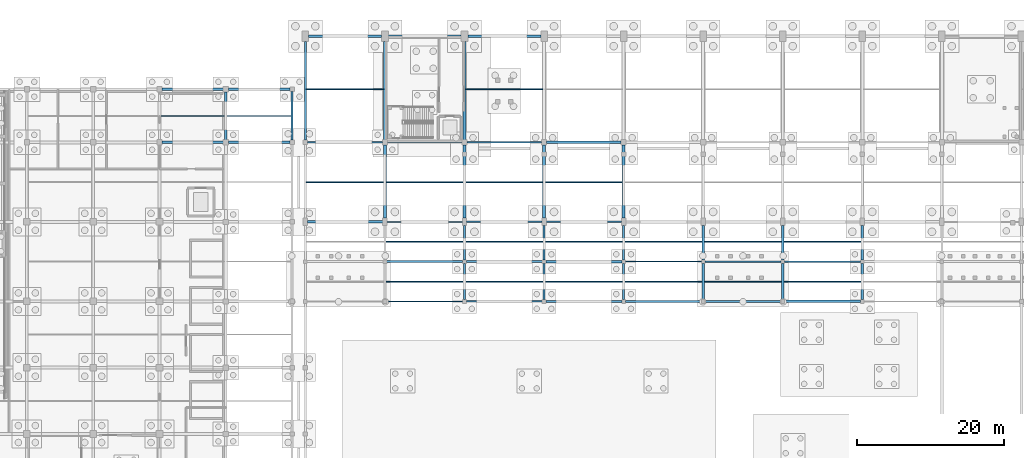
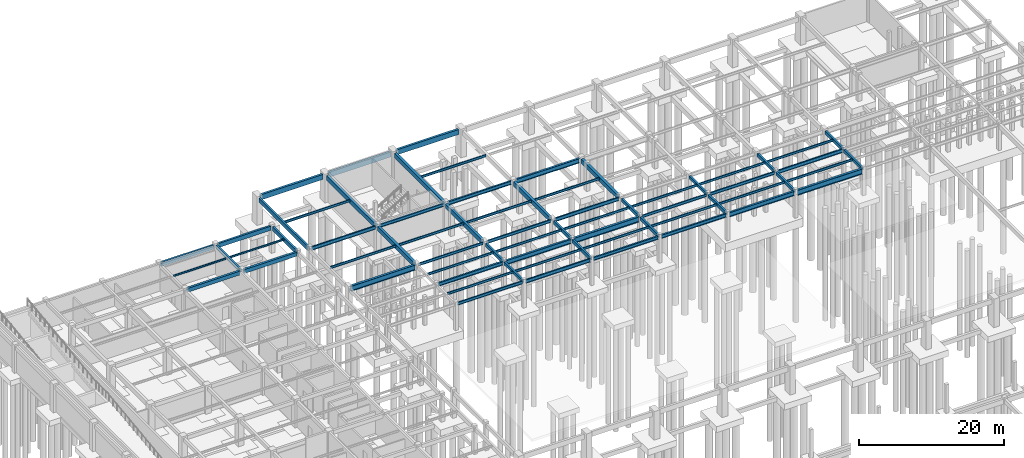
# One storey, part 17 of 33: 68 beams.
"""IFC4 building model written with IfcOpenShell, lengths in metres."""

import ifcopenshell
import ifcopenshell.guid

model = None  # the IFC model being written
_history = None  # IfcOwnerHistory: only IFC2X3 demands one
_inside = {}  # id of a spatial element -> (the spatial element, [elements in it])
_under = {}  # id of a project, library or spatial element -> (it, [spatial elements below it])
_declared = {}  # id of a project -> (the project, [libraries it declares])
_typed = {}  # id of a type object -> (the type object, [elements of that type])
_made_of = {}  # id of a material, layer set ... -> (it, [elements and type objects made of it])


def new_model(schema):
    """Start an empty IFC model of exactly this schema.

    Asked for "IFC4X3", IfcOpenShell would pick the latest addendum, in which some entities
    have other attributes; the version numbers below select the first issue.
    IFC2X3 requires an IfcOwnerHistory on every rooted entity: one is made here for all.
    """
    global model, _history
    if schema == "IFC4X3":
        model = ifcopenshell.file(schema_version=(4, 3, 0, 0))
    else:
        model = ifcopenshell.file(schema=schema)
    _inside.clear()
    _under.clear()
    _declared.clear()
    _typed.clear()
    _made_of.clear()
    _history = None
    if model.schema == "IFC2X3":
        org = make("IfcOrganization", Name="unknown")
        user = make(
            "IfcPersonAndOrganization",
            ThePerson=make("IfcPerson", FamilyName="unknown"),
            TheOrganization=org,
        )
        app = make(
            "IfcApplication",
            ApplicationDeveloper=org,
            Version="unknown",
            ApplicationFullName="unknown",
            ApplicationIdentifier="unknown",
        )
        _history = make(
            "IfcOwnerHistory",
            OwningUser=user,
            OwningApplication=app,
            ChangeAction="ADDED",
            CreationDate=0,
        )
    return model


def make(cls, **values):
    """One entity of the class cls with the attributes given. An attribute that is None is left unset."""
    return model.create_entity(
        cls, **{name: value for name, value in values.items() if value is not None}
    )


def rooted(cls, **values):
    """An entity with a GlobalId (a new one), such as an element, a storey or a relation."""
    return make(cls, GlobalId=ifcopenshell.guid.new(), OwnerHistory=_history, **values)


def si_unit(unit_type, name, prefix=None):
    """IfcSIUnit, for example si_unit("LENGTHUNIT", "METRE", prefix="MILLI")."""
    return make("IfcSIUnit", UnitType=unit_type, Prefix=prefix, Name=name)


def assignment(units):
    """IfcUnitAssignment: the units of a project."""
    return None if units is None else make("IfcUnitAssignment", Units=units)


def point(xyz):
    """IfcCartesianPoint."""
    return None if xyz is None else make("IfcCartesianPoint", Coordinates=xyz)


def direction(xyz):
    """IfcDirection."""
    return None if xyz is None else make("IfcDirection", DirectionRatios=xyz)


def frame(location, z_axis=None, x_axis=None):
    """IfcAxis2Placement3D, a coordinate frame: its origin and axes. An axis left out is left unset."""
    return make(
        "IfcAxis2Placement3D",
        Location=point(location),
        Axis=direction(z_axis),
        RefDirection=direction(x_axis),
    )


def frame_2d(location, x_axis=None):
    """IfcAxis2Placement2D, a coordinate frame in the plane: its origin and x axis."""
    return make(
        "IfcAxis2Placement2D", Location=point(location), RefDirection=direction(x_axis)
    )


def origin():
    """The frame at (0, 0, 0) with its axes left unset."""
    return frame((0.0, 0.0, 0.0))


def origin_2d():
    """The frame at (0, 0) in the plane with its x axis left unset."""
    return frame_2d((0.0, 0.0))


def place(relative_to, where):
    """IfcLocalPlacement: puts the frame where relative to a parent placement (None: the world)."""
    return make(
        "IfcLocalPlacement", PlacementRelTo=relative_to, RelativePlacement=where
    )


def context(
    kind, dimensions, precision=None, world=None, true_north=None, identifier=None
):
    """IfcGeometricRepresentationContext, for example the 3D "Model" context."""
    return make(
        "IfcGeometricRepresentationContext",
        ContextIdentifier=identifier,
        ContextType=kind,
        CoordinateSpaceDimension=dimensions,
        Precision=precision,
        WorldCoordinateSystem=world,
        TrueNorth=true_north,
    )


def subcontext(parent, identifier, kind, view, scale=None):
    """IfcGeometricRepresentationSubContext, for example "Body" below "Model"."""
    return make(
        "IfcGeometricRepresentationSubContext",
        ContextIdentifier=identifier,
        ContextType=kind,
        ParentContext=parent,
        TargetScale=scale,
        TargetView=view,
    )


def project(units=None, contexts=None):
    """IfcProject with its units and contexts."""
    return rooted(
        "IfcProject",
        Name="project",
        RepresentationContexts=contexts,
        UnitsInContext=assignment(units),
    )


def spatial(cls, under=None, at=None, **own):
    """A site, building, storey or space (cls), placed at a placement, below another one or the project."""
    s = rooted(cls, ObjectPlacement=at, **own)
    if under is not None:
        _under.setdefault(under.id(), (under, []))[1].append(s)
    return s


def profile(cls, at=None, kind="AREA", **sizes):
    """A parametric profile (cls). Its sizes go by their IFC names, for example OverallWidth=200.0."""
    return make(cls, ProfileType=kind, Position=at, **sizes)


def rectangle(**sizes):
    """IfcRectangleProfileDef."""
    return profile("IfcRectangleProfileDef", **sizes)


def i_section(**sizes):
    """IfcIShapeProfileDef."""
    return profile("IfcIShapeProfileDef", **sizes)


def extrude(swept, where, along, depth):
    """IfcExtrudedAreaSolid: the profile swept, set in the frame where, extruded along a direction by depth."""
    return make(
        "IfcExtrudedAreaSolid",
        SweptArea=swept,
        Position=where,
        ExtrudedDirection=direction(along),
        Depth=depth,
    )


def shape(context_of_items, identifier, shape_type, items):
    """IfcShapeRepresentation: the items that make up one representation, for example the "Body"."""
    return make(
        "IfcShapeRepresentation",
        ContextOfItems=context_of_items,
        RepresentationIdentifier=identifier,
        RepresentationType=shape_type,
        Items=items,
    )


def material(Name=None, Category=None):
    """IfcMaterial."""
    return make("IfcMaterial", Name=Name, Category=Category)


def material_profile(
    of_material, cross_section, Name=None, Category=None, Priority=None
):
    """IfcMaterialProfile: a cross section and its material."""
    return make(
        "IfcMaterialProfile",
        Name=Name,
        Material=of_material,
        Profile=cross_section,
        Priority=Priority,
        Category=Category,
    )


def profile_set(profiles, Name=None, composite=None):
    """IfcMaterialProfileSet."""
    return make(
        "IfcMaterialProfileSet",
        Name=Name,
        MaterialProfiles=profiles,
        CompositeProfile=composite,
    )


def made_of(thing, what):
    """Note that an element or type object is made of a material, layer set ...; save() writes the relation."""
    if what is not None:
        _made_of.setdefault(what.id(), (what, []))[1].append(thing)
    return thing


def type_object(cls, material=None, **own):
    """A type object (cls), such as IfcWallType, which elements share."""
    return made_of(rooted(cls, **own), material)


def element(
    cls,
    number,
    at=None,
    inside=None,
    cuts=None,
    type_object=None,
    material=None,
    context=None,
    identifier="Body",
    shape_type=None,
    held_by="IfcProductDefinitionShape",
    body=None,
    shapes=None,
    **own,
):
    """One element of the class cls, such as IfcWall. Its Tag is "e" and its number.

    at: its placement. inside: the storey or other place that contains it. cuts: it is an
    opening in that element (IfcRelVoidsElement). A single representation is given by context,
    identifier, shape_type and body (its items); several are given by shapes. held_by: the class
    of the entity that holds the representations. save() writes the other relations.
    """
    e = rooted(cls, Tag="e%d" % number, ObjectPlacement=at, **own)
    if body is not None:
        shapes = [shape(context, identifier, shape_type, body)]
    if shapes is not None:
        e.Representation = make(held_by, Representations=shapes)
    if inside is not None:
        _inside.setdefault(inside.id(), (inside, []))[1].append(e)
    if cuts is not None:
        rooted(
            "IfcRelVoidsElement", RelatingBuildingElement=cuts, RelatedOpeningElement=e
        )
    if type_object is not None:
        _typed.setdefault(type_object.id(), (type_object, []))[1].append(e)
    return made_of(e, material)


def aggregate(whole, parts):
    """IfcRelAggregates: a whole, such as a stair, and the parts it consists of."""
    return rooted("IfcRelAggregates", RelatingObject=whole, RelatedObjects=parts)


def save(model, path):
    """Write the relations noted so far, then the file.

    IfcRelAggregates (storeys below a building ...), IfcRelContainedInSpatialStructure (elements
    in a storey), IfcRelDefinesByType, IfcRelAssociatesMaterial and IfcRelDeclares: one each for
    every whole, place, type object, material and project.
    """
    for whole, parts in _under.values():
        aggregate(whole, parts)
    for where, things in _inside.values():
        rooted(
            "IfcRelContainedInSpatialStructure",
            RelatedElements=things,
            RelatingStructure=where,
        )
    for kind, things in _typed.values():
        rooted("IfcRelDefinesByType", RelatedObjects=things, RelatingType=kind)
    for what, things in _made_of.values():
        rooted("IfcRelAssociatesMaterial", RelatedObjects=things, RelatingMaterial=what)
    for by, libraries in _declared.values():
        rooted("IfcRelDeclares", RelatingContext=by, RelatedDefinitions=libraries)
    model.write(path)


model = new_model("IFC4")

# Units and contexts
model_context = context("Model", 3, precision=1e-05, world=origin(), true_north=direction((0.0, 1.0)))
body_context = subcontext(model_context, "Body", "Model", "MODEL_VIEW")
ifc_project = project(units=[si_unit("LENGTHUNIT", "METRE"), si_unit("AREAUNIT", "SQUARE_METRE"), si_unit("VOLUMEUNIT", "CUBIC_METRE"), si_unit("PLANEANGLEUNIT", "RADIAN"), si_unit("MASSUNIT", "GRAM", prefix="KILO")], contexts=[model_context])

# Site, building, storey
site_placement = place(None, origin())
site = spatial("IfcSite", under=ifc_project, at=site_placement, CompositionType="ELEMENT")
building_placement = place(site_placement, origin())
building = spatial("IfcBuilding", under=site, at=building_placement, Name="Suirenkawa Promenade Aquatics Centre", CompositionType="ELEMENT")
storey_placement = place(building_placement, frame((0.0, 0.0, -4.800048828125)))
storey = spatial("IfcBuildingStorey", under=building, at=storey_placement, Name="B1", CompositionType="ELEMENT", Elevation=-4.800048828125)

# Beams
ifc_material_1 = material(Name="Steel IS 2062 E350 (Grade 350)", Category="steel")
ifc_material_profile_1 = material_profile(ifc_material_1, i_section(OverallWidth=0.139892578125, OverallDepth=0.300048828125, WebThickness=0.008056640625, FlangeThickness=0.012939453125, at=origin_2d()), Name="ISMB 300", Category="steel")
ifc_profile_set_1 = profile_set([ifc_material_profile_1], Name="Steel IS 2062 E350 (Grade 350)")
beam_type_1 = type_object("IfcBeamType", Name="BT-JOIST-ISMB300", PredefinedType="JOIST", material=ifc_profile_set_1)
for number, where, z_axis, x_axis, name in (
    (1, (27.14404296875, 111.60009765625, 4.34814453125), (1.0, 0.0, 0.0), (0.0, 1.0, 0.0), "Secondary floor joist JS-02 BM-0186"),
    (2, (36.14404296875, 111.60009765625, 4.34814453125), (1.0, 0.0, 0.0), (0.0, 1.0, 0.0), "Secondary floor joist JS-02 BM-0198"),
):
    element("IfcBeam", number, at=place(storey_placement, frame(where, z_axis=z_axis, x_axis=x_axis)), inside=storey, type_object=beam_type_1, Name=name, PredefinedType="JOIST", context=body_context, shape_type="SweptSolid", body=[
        extrude(i_section(OverallWidth=0.139892578125, OverallDepth=0.300048828125, WebThickness=0.008056640625, FlangeThickness=0.012939453125, at=origin_2d()), origin(), (0.0, 0.0, 1.0), 8.7119140625),
    ])
ifc_material_profile_2 = material_profile(ifc_material_1, i_section(OverallWidth=0.139892578125, OverallDepth=0.39990234375, WebThickness=0.009033203125, FlangeThickness=0.01611328125, at=origin_2d()), Name="ISMB 400", Category="steel")
ifc_profile_set_2 = profile_set([ifc_material_profile_2], Name="Steel IS 2062 E350 (Grade 350)")
beam_type_2 = type_object("IfcBeamType", Name="BT-JOIST-ISMB400", PredefinedType="JOIST", material=ifc_profile_set_2)
for number, where, z_axis, x_axis, name in (
    (3, (46.944091796875, 102.60009765625, 4.298095703125), (1.0, 0.0, 0.0), (0.0, 1.0, 0.0), "Secondary floor joist JS-04 BM-1018"),
    (4, (46.944091796875, 115.199951171875, 4.298095703125), (1.0, 0.0, 0.0), (0.0, 1.0, 0.0), "Secondary floor joist JS-04 BM-1019"),
):
    element("IfcBeam", number, at=place(storey_placement, frame(where, z_axis=z_axis, x_axis=x_axis)), inside=storey, type_object=beam_type_2, Name=name, PredefinedType="JOIST", context=body_context, shape_type="SweptSolid", body=[
        extrude(i_section(OverallWidth=0.139892578125, OverallDepth=0.39990234375, WebThickness=0.009033203125, FlangeThickness=0.01611328125, at=origin_2d()), origin(), (0.0, 0.0, 1.0), 10.4619140625),
    ])
for number, where, z_axis, x_axis, name in (
    (5, (57.743896484375, 89.10009765625, 4.298095703125), (1.0, 0.0, 0.0), (0.0, 1.0, 0.0), "Secondary floor joist JS-04 BM-1020"),
    (6, (57.743896484375, 94.5, 4.298095703125), (1.0, 0.0, 0.0), (0.0, 1.0, 0.0), "Secondary floor joist JS-04 BM-1021"),
):
    element("IfcBeam", number, at=place(storey_placement, frame(where, z_axis=z_axis, x_axis=x_axis)), inside=storey, type_object=beam_type_2, Name=name, PredefinedType="JOIST", context=body_context, shape_type="SweptSolid", body=[
        extrude(i_section(OverallWidth=0.139892578125, OverallDepth=0.39990234375, WebThickness=0.009033203125, FlangeThickness=0.01611328125, at=origin_2d()), origin(), (0.0, 0.0, 1.0), 10.51220703125),
    ])
beam_1_placement = place(storey_placement, frame((57.7939453125, 102.60009765625, 4.298095703125), z_axis=(1.0, 0.0, 0.0), x_axis=(0.0, 1.0, 0.0)))
element("IfcBeam", 7, at=beam_1_placement, inside=storey, type_object=beam_type_2, Name="Secondary floor joist JS-04 BM-1022", PredefinedType="JOIST", context=body_context, shape_type="SweptSolid", body=[
    extrude(i_section(OverallWidth=0.139892578125, OverallDepth=0.39990234375, WebThickness=0.009033203125, FlangeThickness=0.01611328125, at=origin_2d()), origin(), (0.0, 0.0, 1.0), 10.412109375),
])
for number, where, z_axis, x_axis, name in (
    (8, (68.5439453125, 89.10009765625, 4.298095703125), (1.0, 0.0, 0.0), (0.0, 1.0, 0.0), "Secondary floor joist JS-04 BM-1023"),
    (9, (68.5439453125, 94.5, 4.298095703125), (1.0, 0.0, 0.0), (0.0, 1.0, 0.0), "Secondary floor joist JS-04 BM-1024"),
):
    element("IfcBeam", number, at=place(storey_placement, frame(where, z_axis=z_axis, x_axis=x_axis)), inside=storey, type_object=beam_type_2, Name=name, PredefinedType="JOIST", context=body_context, shape_type="SweptSolid", body=[
        extrude(i_section(OverallWidth=0.139892578125, OverallDepth=0.39990234375, WebThickness=0.009033203125, FlangeThickness=0.01611328125, at=origin_2d()), origin(), (0.0, 0.0, 1.0), 10.511962890625),
    ])
for number, where, z_axis, x_axis, name in (
    (10, (68.593994140625, 102.60009765625, 4.298095703125), (1.0, 0.0, 0.0), (0.0, 1.0, 0.0), "Secondary floor joist JS-04 BM-1025"),
    (11, (68.593994140625, 115.199951171875, 4.298095703125), (1.0, 0.0, 0.0), (0.0, 1.0, 0.0), "Secondary floor joist JS-04 BM-1026"),
):
    element("IfcBeam", number, at=place(storey_placement, frame(where, z_axis=z_axis, x_axis=x_axis)), inside=storey, type_object=beam_type_2, Name=name, PredefinedType="JOIST", context=body_context, shape_type="SweptSolid", body=[
        extrude(i_section(OverallWidth=0.139892578125, OverallDepth=0.39990234375, WebThickness=0.009033203125, FlangeThickness=0.01611328125, at=origin_2d()), origin(), (0.0, 0.0, 1.0), 10.412109375),
    ])
for number, where, z_axis, x_axis, name in (
    (12, (79.343994140625, 89.10009765625, 4.298095703125), (1.0, 0.0, 0.0), (0.0, 1.0, 0.0), "Secondary floor joist JS-04 BM-1027"),
    (13, (79.343994140625, 94.5, 4.298095703125), (1.0, 0.0, 0.0), (0.0, 1.0, 0.0), "Secondary floor joist JS-04 BM-1028"),
):
    element("IfcBeam", number, at=place(storey_placement, frame(where, z_axis=z_axis, x_axis=x_axis)), inside=storey, type_object=beam_type_2, Name=name, PredefinedType="JOIST", context=body_context, shape_type="SweptSolid", body=[
        extrude(i_section(OverallWidth=0.139892578125, OverallDepth=0.39990234375, WebThickness=0.009033203125, FlangeThickness=0.01611328125, at=origin_2d()), origin(), (0.0, 0.0, 1.0), 10.511962890625),
    ])
beam_2_placement = place(storey_placement, frame((79.39404296875, 102.60009765625, 4.298095703125), z_axis=(1.0, 0.0, 0.0), x_axis=(0.0, 1.0, 0.0)))
element("IfcBeam", 14, at=beam_2_placement, inside=storey, type_object=beam_type_2, Name="Secondary floor joist JS-04 BM-1029", PredefinedType="JOIST", context=body_context, shape_type="SweptSolid", body=[
    extrude(i_section(OverallWidth=0.139892578125, OverallDepth=0.39990234375, WebThickness=0.009033203125, FlangeThickness=0.01611328125, at=origin_2d()), origin(), (0.0, 0.0, 1.0), 10.411865234375),
])
for number, where, z_axis, x_axis, name in (
    (15, (90.14404296875, 89.10009765625, 4.298095703125), (1.0, 0.0, 0.0), (0.0, 1.0, 0.0), "Secondary floor joist JS-04 BM-1031"),
    (16, (90.14404296875, 94.5, 4.298095703125), (1.0, 0.0, 0.0), (0.0, 1.0, 0.0), "Secondary floor joist JS-04 BM-1032"),
    (17, (100.944091796875, 89.10009765625, 4.298095703125), (1.0, 0.0, 0.0), (0.0, 1.0, 0.0), "Secondary floor joist JS-04 BM-1035"),
    (18, (100.944091796875, 94.5, 4.298095703125), (1.0, 0.0, 0.0), (0.0, 1.0, 0.0), "Secondary floor joist JS-04 BM-1036"),
):
    element("IfcBeam", number, at=place(storey_placement, frame(where, z_axis=z_axis, x_axis=x_axis)), inside=storey, type_object=beam_type_2, Name=name, PredefinedType="JOIST", context=body_context, shape_type="SweptSolid", body=[
        extrude(i_section(OverallWidth=0.139892578125, OverallDepth=0.39990234375, WebThickness=0.009033203125, FlangeThickness=0.01611328125, at=origin_2d()), origin(), (0.0, 0.0, 1.0), 10.511962890625),
    ])
for number, where, z_axis, x_axis, name in (
    (19, (111.743896484375, 89.10009765625, 4.298095703125), (1.0, 0.0, 0.0), (0.0, 1.0, 0.0), "Secondary floor joist JS-04 BM-1039"),
    (20, (111.743896484375, 94.5, 4.298095703125), (1.0, 0.0, 0.0), (0.0, 1.0, 0.0), "Secondary floor joist JS-04 BM-1040"),
):
    element("IfcBeam", number, at=place(storey_placement, frame(where, z_axis=z_axis, x_axis=x_axis)), inside=storey, type_object=beam_type_2, Name=name, PredefinedType="JOIST", context=body_context, shape_type="SweptSolid", body=[
        extrude(i_section(OverallWidth=0.139892578125, OverallDepth=0.39990234375, WebThickness=0.009033203125, FlangeThickness=0.01611328125, at=origin_2d()), origin(), (0.0, 0.0, 1.0), 10.51220703125),
    ])
ifc_material_2 = material(Name="Concrete M35", Category="concrete")
ifc_material_profile_3 = material_profile(ifc_material_2, rectangle(XDim=0.300048828125, YDim=0.550048828125, at=origin_2d()), Name="RC BM 300x550", Category="concrete")
ifc_profile_set_3 = profile_set([ifc_material_profile_3], Name="Concrete M35")
beam_type_3 = type_object("IfcBeamType", Name="BT-RC-300x550", PredefinedType="BEAM", material=ifc_profile_set_3)
beam_3_placement = place(storey_placement, frame((36.0, 108.343994140625, 4.22509765625), z_axis=(0.0, 1.0, 0.0), x_axis=(-1.0, 0.0, 0.0)))
element("IfcBeam", 21, at=beam_3_placement, inside=storey, type_object=beam_type_3, Name="Floor beam BM-01 BM-0131", PredefinedType="BEAM", context=body_context, shape_type="SweptSolid", body=[
    extrude(rectangle(XDim=0.300048828125, YDim=0.550048828125, at=origin_2d()), origin(), (0.0, 0.0, 1.0), 6.511962890625),
])
beam_4_placement = place(storey_placement, frame((68.39990234375, 86.64404296875, 4.22509765625), z_axis=(0.0, 1.0, 0.0), x_axis=(-1.0, 0.0, 0.0)))
element("IfcBeam", 22, at=beam_4_placement, inside=storey, type_object=beam_type_3, Name="Floor beam BM-01 BM-0977", PredefinedType="BEAM", context=body_context, shape_type="SweptSolid", body=[
    extrude(rectangle(XDim=0.300048828125, YDim=0.550048828125, at=origin_2d()), origin(), (0.0, 0.0, 1.0), 4.911865234375),
])
beam_5_placement = place(storey_placement, frame((68.39990234375, 92.0439453125, 4.22509765625), z_axis=(0.0, 1.0, 0.0), x_axis=(-1.0, 0.0, 0.0)))
element("IfcBeam", 23, at=beam_5_placement, inside=storey, type_object=beam_type_3, Name="Floor beam BM-01 BM-0978", PredefinedType="BEAM", context=body_context, shape_type="SweptSolid", body=[
    extrude(rectangle(XDim=0.300048828125, YDim=0.550048828125, at=origin_2d()), origin(), (0.0, 0.0, 1.0), 4.662109375),
])
beam_6_placement = place(storey_placement, frame((79.199951171875, 86.64404296875, 4.22509765625), z_axis=(0.0, 1.0, 0.0), x_axis=(-1.0, 0.0, 0.0)))
element("IfcBeam", 24, at=beam_6_placement, inside=storey, type_object=beam_type_3, Name="Floor beam BM-01 BM-0981", PredefinedType="BEAM", context=body_context, shape_type="SweptSolid", body=[
    extrude(rectangle(XDim=0.300048828125, YDim=0.550048828125, at=origin_2d()), origin(), (0.0, 0.0, 1.0), 4.911865234375),
])
beam_7_placement = place(storey_placement, frame((79.199951171875, 92.0439453125, 4.22509765625), z_axis=(0.0, 1.0, 0.0), x_axis=(-1.0, 0.0, 0.0)))
element("IfcBeam", 25, at=beam_7_placement, inside=storey, type_object=beam_type_3, Name="Floor beam BM-01 BM-0982", PredefinedType="BEAM", context=body_context, shape_type="SweptSolid", body=[
    extrude(rectangle(XDim=0.300048828125, YDim=0.550048828125, at=origin_2d()), origin(), (0.0, 0.0, 1.0), 4.662109375),
])
beam_8_placement = place(storey_placement, frame((90.0, 86.64404296875, 4.22509765625), z_axis=(0.0, 1.0, 0.0), x_axis=(-1.0, 0.0, 0.0)))
element("IfcBeam", 26, at=beam_8_placement, inside=storey, type_object=beam_type_3, Name="Floor beam BM-01 BM-0985", PredefinedType="BEAM", context=body_context, shape_type="SweptSolid", body=[
    extrude(rectangle(XDim=0.300048828125, YDim=0.550048828125, at=origin_2d()), origin(), (0.0, 0.0, 1.0), 4.911865234375),
])
beam_9_placement = place(storey_placement, frame((90.0, 92.0439453125, 4.22509765625), z_axis=(0.0, 1.0, 0.0), x_axis=(-1.0, 0.0, 0.0)))
element("IfcBeam", 27, at=beam_9_placement, inside=storey, type_object=beam_type_3, Name="Floor beam BM-01 BM-0986", PredefinedType="BEAM", context=body_context, shape_type="SweptSolid", body=[
    extrude(rectangle(XDim=0.300048828125, YDim=0.550048828125, at=origin_2d()), origin(), (0.0, 0.0, 1.0), 4.662109375),
])
beam_10_placement = place(storey_placement, frame((100.800048828125, 86.64404296875, 4.22509765625), z_axis=(0.0, 1.0, 0.0), x_axis=(-1.0, 0.0, 0.0)))
element("IfcBeam", 28, at=beam_10_placement, inside=storey, type_object=beam_type_3, Name="Floor beam BM-01 BM-0989", PredefinedType="BEAM", context=body_context, shape_type="SweptSolid", body=[
    extrude(rectangle(XDim=0.300048828125, YDim=0.550048828125, at=origin_2d()), origin(), (0.0, 0.0, 1.0), 4.911865234375),
])
beam_11_placement = place(storey_placement, frame((100.800048828125, 92.0439453125, 4.22509765625), z_axis=(0.0, 1.0, 0.0), x_axis=(-1.0, 0.0, 0.0)))
element("IfcBeam", 29, at=beam_11_placement, inside=storey, type_object=beam_type_3, Name="Floor beam BM-01 BM-0990", PredefinedType="BEAM", context=body_context, shape_type="SweptSolid", body=[
    extrude(rectangle(XDim=0.300048828125, YDim=0.550048828125, at=origin_2d()), origin(), (0.0, 0.0, 1.0), 4.662109375),
])
beam_12_placement = place(storey_placement, frame((111.60009765625, 86.64404296875, 4.22509765625), z_axis=(0.0, 1.0, 0.0), x_axis=(-1.0, 0.0, 0.0)))
element("IfcBeam", 30, at=beam_12_placement, inside=storey, type_object=beam_type_3, Name="Floor beam BM-01 BM-0993", PredefinedType="BEAM", context=body_context, shape_type="SweptSolid", body=[
    extrude(rectangle(XDim=0.300048828125, YDim=0.550048828125, at=origin_2d()), origin(), (0.0, 0.0, 1.0), 4.911865234375),
])
beam_13_placement = place(storey_placement, frame((111.60009765625, 92.0439453125, 4.22509765625), z_axis=(0.0, 1.0, 0.0), x_axis=(-1.0, 0.0, 0.0)))
element("IfcBeam", 31, at=beam_13_placement, inside=storey, type_object=beam_type_3, Name="Floor beam BM-01 BM-0994", PredefinedType="BEAM", context=body_context, shape_type="SweptSolid", body=[
    extrude(rectangle(XDim=0.300048828125, YDim=0.550048828125, at=origin_2d()), origin(), (0.0, 0.0, 1.0), 4.662109375),
])
beam_14_placement = place(storey_placement, frame((122.39990234375, 86.64404296875, 4.22509765625), z_axis=(0.0, 1.0, 0.0), x_axis=(-1.0, 0.0, 0.0)))
element("IfcBeam", 32, at=beam_14_placement, inside=storey, type_object=beam_type_3, Name="Floor beam BM-01 BM-0997", PredefinedType="BEAM", context=body_context, shape_type="SweptSolid", body=[
    extrude(rectangle(XDim=0.300048828125, YDim=0.550048828125, at=origin_2d()), origin(), (0.0, 0.0, 1.0), 4.911865234375),
])
beam_15_placement = place(storey_placement, frame((122.39990234375, 92.0439453125, 4.22509765625), z_axis=(0.0, 1.0, 0.0), x_axis=(-1.0, 0.0, 0.0)))
element("IfcBeam", 33, at=beam_15_placement, inside=storey, type_object=beam_type_3, Name="Floor beam BM-01 BM-0998", PredefinedType="BEAM", context=body_context, shape_type="SweptSolid", body=[
    extrude(rectangle(XDim=0.300048828125, YDim=0.550048828125, at=origin_2d()), origin(), (0.0, 0.0, 1.0), 4.662109375),
])
ifc_material_profile_4 = material_profile(ifc_material_2, rectangle(XDim=0.35009765625, YDim=0.64990234375, at=origin_2d()), Name="RC BM 350x650", Category="concrete")
ifc_profile_set_4 = profile_set([ifc_material_profile_4], Name="Concrete M35")
beam_type_4 = type_object("IfcBeamType", Name="BT-RC-350x650", PredefinedType="BEAM", material=ifc_profile_set_4)
beam_16_placement = place(storey_placement, frame((27.343994140625, 108.0, 4.175048828125), z_axis=(1.0, 0.0, 0.0), x_axis=(0.0, 1.0, 0.0)))
element("IfcBeam", 34, at=beam_16_placement, inside=storey, type_object=beam_type_4, Name="Floor beam BM-03 BM-0060", PredefinedType="BEAM", context=body_context, shape_type="SweptSolid", body=[
    extrude(rectangle(XDim=0.35009765625, YDim=0.64990234375, at=origin_2d()), origin(), (0.0, 0.0, 1.0), 8.31201171875),
])
beam_17_placement = place(storey_placement, frame((36.343994140625, 108.0, 4.175048828125), z_axis=(1.0, 0.0, 0.0), x_axis=(0.0, 1.0, 0.0)))
element("IfcBeam", 35, at=beam_17_placement, inside=storey, type_object=beam_type_4, Name="Floor beam BM-03 BM-0061", PredefinedType="BEAM", context=body_context, shape_type="SweptSolid", body=[
    extrude(rectangle(XDim=0.35009765625, YDim=0.64990234375, at=origin_2d()), origin(), (0.0, 0.0, 1.0), 8.362060546875),
])
ifc_material_3 = material(Name="Concrete M40", Category="concrete")
ifc_material_profile_5 = material_profile(ifc_material_3, rectangle(XDim=0.39990234375, YDim=0.75, at=origin_2d()), Name="RC BM 400x750", Category="concrete")
ifc_profile_set_5 = profile_set([ifc_material_profile_5], Name="Concrete M40")
beam_type_5 = type_object("IfcBeamType", Name="BT-RC-400x750", PredefinedType="BEAM", material=ifc_profile_set_5)
beam_18_placement = place(storey_placement, frame((57.60009765625, 97.694091796875, 4.125), z_axis=(0.0, 1.0, 0.0), x_axis=(-1.0, 0.0, 0.0)))
element("IfcBeam", 36, at=beam_18_placement, inside=storey, type_object=beam_type_5, Name="Floor beam BM-05 BM-0975", PredefinedType="BEAM", context=body_context, shape_type="SweptSolid", body=[
    extrude(rectangle(XDim=0.39990234375, YDim=0.75, at=origin_2d()), origin(), (0.0, 0.0, 1.0), 9.9619140625),
])
beam_19_placement = place(storey_placement, frame((57.60009765625, 108.343994140625, 4.125), z_axis=(0.0, 1.0, 0.0), x_axis=(-1.0, 0.0, 0.0)))
element("IfcBeam", 37, at=beam_19_placement, inside=storey, type_object=beam_type_5, Name="Floor beam BM-05 BM-0976", PredefinedType="BEAM", context=body_context, shape_type="SweptSolid", body=[
    extrude(rectangle(XDim=0.39990234375, YDim=0.75, at=origin_2d()), origin(), (0.0, 0.0, 1.0), 13.362060546875),
])
beam_20_placement = place(storey_placement, frame((68.39990234375, 97.694091796875, 4.125), z_axis=(0.0, 1.0, 0.0), x_axis=(-1.0, 0.0, 0.0)))
element("IfcBeam", 38, at=beam_20_placement, inside=storey, type_object=beam_type_5, Name="Floor beam BM-05 BM-0979", PredefinedType="BEAM", context=body_context, shape_type="SweptSolid", body=[
    extrude(rectangle(XDim=0.39990234375, YDim=0.75, at=origin_2d()), origin(), (0.0, 0.0, 1.0), 9.9619140625),
])
beam_21_placement = place(storey_placement, frame((68.39990234375, 108.343994140625, 4.125), z_axis=(0.0, 1.0, 0.0), x_axis=(-1.0, 0.0, 0.0)))
element("IfcBeam", 39, at=beam_21_placement, inside=storey, type_object=beam_type_5, Name="Floor beam BM-05 BM-0980", PredefinedType="BEAM", context=body_context, shape_type="SweptSolid", body=[
    extrude(rectangle(XDim=0.39990234375, YDim=0.75, at=origin_2d()), origin(), (0.0, 0.0, 1.0), 13.362060546875),
])
for number, where, z_axis, x_axis, name in (
    (40, (79.199951171875, 97.694091796875, 4.125), (0.0, 1.0, 0.0), (-1.0, 0.0, 0.0), "Floor beam BM-05 BM-0983"),
    (41, (90.0, 97.694091796875, 4.125), (0.0, 1.0, 0.0), (-1.0, 0.0, 0.0), "Floor beam BM-05 BM-0987"),
):
    element("IfcBeam", number, at=place(storey_placement, frame(where, z_axis=z_axis, x_axis=x_axis)), inside=storey, type_object=beam_type_5, Name=name, PredefinedType="BEAM", context=body_context, shape_type="SweptSolid", body=[
        extrude(rectangle(XDim=0.39990234375, YDim=0.75, at=origin_2d()), origin(), (0.0, 0.0, 1.0), 9.9619140625),
    ])
ifc_material_profile_6 = material_profile(ifc_material_3, rectangle(XDim=0.300048828125, YDim=0.699951171875, at=origin_2d()), Name="RC SPANDREL 300x700", Category="concrete")
ifc_profile_set_6 = profile_set([ifc_material_profile_6], Name="Concrete M40")
beam_type_6 = type_object("IfcBeamType", Name="BT-SPANDREL-300x700", PredefinedType="SPANDREL", material=ifc_profile_set_6)
beam_22_placement = place(storey_placement, frame((27.343994140625, 115.199951171875, 4.150146484375), z_axis=(1.0, 0.0, 0.0), x_axis=(0.0, 1.0, 0.0)))
element("IfcBeam", 42, at=beam_22_placement, inside=storey, type_object=beam_type_6, Name="Floor beam SP-01 BM-0065", PredefinedType="SPANDREL", context=body_context, shape_type="SweptSolid", body=[
    extrude(rectangle(XDim=0.300048828125, YDim=0.699951171875, at=origin_2d()), origin(), (0.0, 0.0, 1.0), 8.31201171875),
])
beam_23_placement = place(storey_placement, frame((36.343994140625, 115.199951171875, 4.150146484375), z_axis=(1.0, 0.0, 0.0), x_axis=(0.0, 1.0, 0.0)))
element("IfcBeam", 43, at=beam_23_placement, inside=storey, type_object=beam_type_6, Name="Floor beam SP-01 BM-0066", PredefinedType="SPANDREL", context=body_context, shape_type="SweptSolid", body=[
    extrude(rectangle(XDim=0.300048828125, YDim=0.699951171875, at=origin_2d()), origin(), (0.0, 0.0, 1.0), 8.362060546875),
])
beam_24_placement = place(storey_placement, frame((45.0, 108.2939453125, 4.150146484375), z_axis=(0.0, 1.0, 0.0), x_axis=(-1.0, 0.0, 0.0)))
element("IfcBeam", 44, at=beam_24_placement, inside=storey, type_object=beam_type_6, Name="Floor beam SP-01 BM-0144", PredefinedType="SPANDREL", context=body_context, shape_type="SweptSolid", body=[
    extrude(rectangle(XDim=0.300048828125, YDim=0.699951171875, at=origin_2d()), origin(), (0.0, 0.0, 1.0), 6.612060546875),
])
beam_25_placement = place(storey_placement, frame((46.800048828125, 108.2939453125, 4.150146484375), z_axis=(0.0, 1.0, 0.0), x_axis=(-1.0, 0.0, 0.0)))
element("IfcBeam", 45, at=beam_25_placement, inside=storey, type_object=beam_type_6, Name="Floor beam SP-01 BM-0972", PredefinedType="SPANDREL", context=body_context, shape_type="SweptSolid", body=[
    extrude(rectangle(XDim=0.300048828125, YDim=0.699951171875, at=origin_2d()), origin(), (0.0, 0.0, 1.0), 13.412109375),
])
ifc_material_profile_7 = material_profile(ifc_material_3, rectangle(XDim=0.35009765625, YDim=0.85009765625, at=origin_2d()), Name="RC SPANDREL 350x850", Category="concrete")
ifc_profile_set_7 = profile_set([ifc_material_profile_7], Name="Concrete M40")
beam_type_7 = type_object("IfcBeamType", Name="BT-SPANDREL-350x850", PredefinedType="SPANDREL", material=ifc_profile_set_7)
for number, where, z_axis, x_axis, name in (
    (46, (47.243896484375, 122.39990234375, 4.074951171875), (1.0, 0.0, 0.0), (0.0, 1.0, 0.0), "Floor beam SP-02 BM-0958"),
    (47, (58.0439453125, 122.39990234375, 4.074951171875), (1.0, 0.0, 0.0), (0.0, 1.0, 0.0), "Floor beam SP-02 BM-0959"),
    (48, (68.843994140625, 122.39990234375, 4.074951171875), (1.0, 0.0, 0.0), (0.0, 1.0, 0.0), "Floor beam SP-02 BM-0960"),
):
    element("IfcBeam", number, at=place(storey_placement, frame(where, z_axis=z_axis, x_axis=x_axis)), inside=storey, type_object=beam_type_7, Name=name, PredefinedType="SPANDREL", context=body_context, shape_type="SweptSolid", body=[
        extrude(rectangle(XDim=0.35009765625, YDim=0.85009765625, at=origin_2d()), origin(), (0.0, 0.0, 1.0), 9.912109375),
    ])
ifc_material_profile_8 = material_profile(ifc_material_1, i_section(OverallWidth=0.14990234375, OverallDepth=0.449951171875, WebThickness=0.009033203125, FlangeThickness=0.01708984375, at=origin_2d()), Name="ISMB 450", Category="steel")
ifc_profile_set_8 = profile_set([ifc_material_profile_8], Name="Steel IS 2062 E350 (Grade 350)")
beam_type_8 = type_object("IfcBeamType", Name="BT-STL-ISMB450", PredefinedType="BEAM", material=ifc_profile_set_8)
beam_26_placement = place(storey_placement, frame((90.243896484375, 91.800048828125, 4.275146484375), z_axis=(1.0, 0.0, 0.0), x_axis=(0.0, 1.0, 0.0)))
element("IfcBeam", 49, at=beam_26_placement, inside=storey, type_object=beam_type_8, Name="Floor beam BM-08 BM-0932", PredefinedType="BEAM", context=body_context, shape_type="SweptSolid", body=[
    extrude(i_section(OverallWidth=0.14990234375, OverallDepth=0.449951171875, WebThickness=0.009033203125, FlangeThickness=0.01708984375, at=origin_2d()), origin(), (0.0, 0.0, 1.0), 10.31201171875),
])
beam_27_placement = place(storey_placement, frame((57.89404296875, 97.199951171875, 4.275146484375), z_axis=(1.0, 0.0, 0.0), x_axis=(0.0, 1.0, 0.0)))
element("IfcBeam", 50, at=beam_27_placement, inside=storey, type_object=beam_type_8, Name="Floor beam BM-08 BM-0939", PredefinedType="BEAM", context=body_context, shape_type="SweptSolid", body=[
    extrude(i_section(OverallWidth=0.14990234375, OverallDepth=0.449951171875, WebThickness=0.009033203125, FlangeThickness=0.01708984375, at=origin_2d()), origin(), (0.0, 0.0, 1.0), 10.2119140625),
])
ifc_material_profile_9 = material_profile(ifc_material_1, i_section(OverallWidth=0.179931640625, OverallDepth=0.5, WebThickness=0.010009765625, FlangeThickness=0.01708984375, at=origin_2d()), Name="ISMB 500", Category="steel")
ifc_profile_set_9 = profile_set([ifc_material_profile_9], Name="Steel IS 2062 E350 (Grade 350)")
beam_type_9 = type_object("IfcBeamType", Name="BT-STL-ISMB500", PredefinedType="BEAM", material=ifc_profile_set_9)
for number, where, z_axis, x_axis, name in (
    (51, (57.843994140625, 86.39990234375, 4.25), (1.0, 0.0, 0.0), (0.0, 1.0, 0.0), "Floor beam BM-09 BM-0919"),
    (52, (101.0439453125, 91.800048828125, 4.25), (1.0, 0.0, 0.0), (0.0, 1.0, 0.0), "Floor beam BM-09 BM-0933"),
):
    element("IfcBeam", number, at=place(storey_placement, frame(where, z_axis=z_axis, x_axis=x_axis)), inside=storey, type_object=beam_type_9, Name=name, PredefinedType="BEAM", context=body_context, shape_type="SweptSolid", body=[
        extrude(i_section(OverallWidth=0.179931640625, OverallDepth=0.5, WebThickness=0.010009765625, FlangeThickness=0.01708984375, at=origin_2d()), origin(), (0.0, 0.0, 1.0), 10.31201171875),
    ])
beam_28_placement = place(storey_placement, frame((68.694091796875, 97.199951171875, 4.25), z_axis=(1.0, 0.0, 0.0), x_axis=(0.0, 1.0, 0.0)))
element("IfcBeam", 53, at=beam_28_placement, inside=storey, type_object=beam_type_9, Name="Floor beam BM-09 BM-0940", PredefinedType="BEAM", context=body_context, shape_type="SweptSolid", body=[
    extrude(i_section(OverallWidth=0.179931640625, OverallDepth=0.5, WebThickness=0.010009765625, FlangeThickness=0.01708984375, at=origin_2d()), origin(), (0.0, 0.0, 1.0), 10.2119140625),
])
ifc_material_profile_10 = material_profile(ifc_material_1, i_section(OverallWidth=0.2099609375, OverallDepth=0.60009765625, WebThickness=0.011962890625, FlangeThickness=0.02099609375, at=origin_2d()), Name="ISMB 600", Category="steel")
ifc_profile_set_10 = profile_set([ifc_material_profile_10], Name="Steel IS 2062 E350 (Grade 350)")
beam_type_10 = type_object("IfcBeamType", Name="BT-STL-ISMB600", PredefinedType="BEAM", material=ifc_profile_set_10)
for number, where, z_axis, x_axis, name in (
    (54, (68.64404296875, 86.39990234375, 4.199951171875), (1.0, 0.0, 0.0), (0.0, 1.0, 0.0), "Floor beam BM-10 BM-0920"),
    (55, (111.843994140625, 91.800048828125, 4.199951171875), (1.0, 0.0, 0.0), (0.0, 1.0, 0.0), "Floor beam BM-10 BM-0934"),
):
    element("IfcBeam", number, at=place(storey_placement, frame(where, z_axis=z_axis, x_axis=x_axis)), inside=storey, type_object=beam_type_10, Name=name, PredefinedType="BEAM", context=body_context, shape_type="SweptSolid", body=[
        extrude(i_section(OverallWidth=0.2099609375, OverallDepth=0.60009765625, WebThickness=0.011962890625, FlangeThickness=0.02099609375, at=origin_2d()), origin(), (0.0, 0.0, 1.0), 10.31201171875),
    ])
beam_29_placement = place(storey_placement, frame((79.493896484375, 97.199951171875, 4.199951171875), z_axis=(1.0, 0.0, 0.0), x_axis=(0.0, 1.0, 0.0)))
element("IfcBeam", 56, at=beam_29_placement, inside=storey, type_object=beam_type_10, Name="Floor beam BM-10 BM-0941", PredefinedType="BEAM", context=body_context, shape_type="SweptSolid", body=[
    extrude(i_section(OverallWidth=0.2099609375, OverallDepth=0.60009765625, WebThickness=0.011962890625, FlangeThickness=0.02099609375, at=origin_2d()), origin(), (0.0, 0.0, 1.0), 10.212158203125),
])
beam_30_placement = place(storey_placement, frame((47.093994140625, 108.0, 4.199951171875), z_axis=(1.0, 0.0, 0.0), x_axis=(0.0, 1.0, 0.0)))
element("IfcBeam", 57, at=beam_30_placement, inside=storey, type_object=beam_type_10, Name="Floor beam BM-10 BM-0948", PredefinedType="BEAM", context=body_context, shape_type="SweptSolid", body=[
    extrude(i_section(OverallWidth=0.2099609375, OverallDepth=0.60009765625, WebThickness=0.011962890625, FlangeThickness=0.02099609375, at=origin_2d()), origin(), (0.0, 0.0, 1.0), 10.162109375),
])
ifc_material_profile_11 = material_profile(ifc_material_1, i_section(OverallWidth=0.25, OverallDepth=0.550048828125, WebThickness=0.010986328125, FlangeThickness=0.01806640625, at=origin_2d()), Name="ISWB 550", Category="steel")
ifc_profile_set_11 = profile_set([ifc_material_profile_11], Name="Steel IS 2062 E350 (Grade 350)")
beam_type_11 = type_object("IfcBeamType", Name="BT-STL-ISWB550", PredefinedType="BEAM", material=ifc_profile_set_11)
beam_31_placement = place(storey_placement, frame((79.444091796875, 86.39990234375, 4.22509765625), z_axis=(1.0, 0.0, 0.0), x_axis=(0.0, 1.0, 0.0)))
element("IfcBeam", 58, at=beam_31_placement, inside=storey, type_object=beam_type_11, Name="Floor beam BM-11 BM-0921", PredefinedType="BEAM", context=body_context, shape_type="SweptSolid", body=[
    extrude(i_section(OverallWidth=0.25, OverallDepth=0.550048828125, WebThickness=0.010986328125, FlangeThickness=0.01806640625, at=origin_2d()), origin(), (0.0, 0.0, 1.0), 10.31201171875),
])
beam_32_placement = place(storey_placement, frame((57.944091796875, 108.0, 4.22509765625), z_axis=(1.0, 0.0, 0.0), x_axis=(0.0, 1.0, 0.0)))
element("IfcBeam", 59, at=beam_32_placement, inside=storey, type_object=beam_type_11, Name="Floor beam BM-11 BM-0949", PredefinedType="BEAM", context=body_context, shape_type="SweptSolid", body=[
    extrude(i_section(OverallWidth=0.25, OverallDepth=0.550048828125, WebThickness=0.010986328125, FlangeThickness=0.01806640625, at=origin_2d()), origin(), (0.0, 0.0, 1.0), 10.11181640625),
])
ifc_material_profile_12 = material_profile(ifc_material_1, i_section(OverallWidth=0.25, OverallDepth=0.60009765625, WebThickness=0.011962890625, FlangeThickness=0.02392578125, at=origin_2d()), Name="ISWB 600", Category="steel")
ifc_profile_set_12 = profile_set([ifc_material_profile_12], Name="Steel IS 2062 E350 (Grade 350)")
beam_type_12 = type_object("IfcBeamType", Name="BT-STL-ISWB600", PredefinedType="BEAM", material=ifc_profile_set_12)
for number, where, z_axis, x_axis, name in (
    (60, (90.243896484375, 86.39990234375, 4.199951171875), (1.0, 0.0, 0.0), (0.0, 1.0, 0.0), "Floor beam BM-12 BM-0922"),
    (61, (57.843994140625, 91.800048828125, 4.199951171875), (1.0, 0.0, 0.0), (0.0, 1.0, 0.0), "Floor beam BM-12 BM-0929"),
):
    element("IfcBeam", number, at=place(storey_placement, frame(where, z_axis=z_axis, x_axis=x_axis)), inside=storey, type_object=beam_type_12, Name=name, PredefinedType="BEAM", context=body_context, shape_type="SweptSolid", body=[
        extrude(i_section(OverallWidth=0.25, OverallDepth=0.60009765625, WebThickness=0.011962890625, FlangeThickness=0.02392578125, at=origin_2d()), origin(), (0.0, 0.0, 1.0), 10.31201171875),
    ])
beam_33_placement = place(storey_placement, frame((68.743896484375, 108.0, 4.199951171875), z_axis=(1.0, 0.0, 0.0), x_axis=(0.0, 1.0, 0.0)))
element("IfcBeam", 62, at=beam_33_placement, inside=storey, type_object=beam_type_12, Name="Floor beam BM-12 BM-0950", PredefinedType="BEAM", context=body_context, shape_type="SweptSolid", body=[
    extrude(i_section(OverallWidth=0.25, OverallDepth=0.60009765625, WebThickness=0.011962890625, FlangeThickness=0.02392578125, at=origin_2d()), origin(), (0.0, 0.0, 1.0), 10.112060546875),
])
ifc_material_profile_13 = material_profile(ifc_material_1, i_section(OverallWidth=0.300048828125, OverallDepth=0.75, WebThickness=0.013916015625, FlangeThickness=0.02490234375, at=origin_2d()), Name="WPG 750x300", Category="steel")
ifc_profile_set_13 = profile_set([ifc_material_profile_13], Name="Steel IS 2062 E350 (Grade 350)")
beam_type_13 = type_object("IfcBeamType", Name="BT-STL-WPG750", PredefinedType="BEAM", material=ifc_profile_set_13)
for number, where, z_axis, x_axis, name in (
    (63, (101.0439453125, 86.39990234375, 4.125), (1.0, 0.0, 0.0), (0.0, 1.0, 0.0), "Floor beam BM-13 BM-0923"),
    (64, (68.64404296875, 91.800048828125, 4.125), (1.0, 0.0, 0.0), (0.0, 1.0, 0.0), "Floor beam BM-13 BM-0930"),
):
    element("IfcBeam", number, at=place(storey_placement, frame(where, z_axis=z_axis, x_axis=x_axis)), inside=storey, type_object=beam_type_13, Name=name, PredefinedType="BEAM", context=body_context, shape_type="SweptSolid", body=[
        extrude(i_section(OverallWidth=0.300048828125, OverallDepth=0.75, WebThickness=0.013916015625, FlangeThickness=0.02490234375, at=origin_2d()), origin(), (0.0, 0.0, 1.0), 10.31201171875),
    ])
beam_34_placement = place(storey_placement, frame((79.5439453125, 108.0, 4.125), z_axis=(1.0, 0.0, 0.0), x_axis=(0.0, 1.0, 0.0)))
element("IfcBeam", 65, at=beam_34_placement, inside=storey, type_object=beam_type_13, Name="Floor beam BM-13 BM-0951", PredefinedType="BEAM", context=body_context, shape_type="SweptSolid", body=[
    extrude(i_section(OverallWidth=0.300048828125, OverallDepth=0.75, WebThickness=0.013916015625, FlangeThickness=0.02490234375, at=origin_2d()), origin(), (0.0, 0.0, 1.0), 10.112060546875),
])
ifc_material_profile_14 = material_profile(ifc_material_1, i_section(OverallWidth=0.35009765625, OverallDepth=0.89990234375, WebThickness=0.01611328125, FlangeThickness=0.031982421875, at=origin_2d()), Name="WPG 900x350", Category="steel")
ifc_profile_set_14 = profile_set([ifc_material_profile_14], Name="Steel IS 2062 E350 (Grade 350)")
beam_type_14 = type_object("IfcBeamType", Name="BT-STL-WPG900", PredefinedType="BEAM", material=ifc_profile_set_14)
for number, where, z_axis, x_axis, name in (
    (66, (111.843994140625, 86.39990234375, 4.050048828125), (1.0, 0.0, 0.0), (0.0, 1.0, 0.0), "Floor beam BM-14 BM-0924"),
    (67, (79.444091796875, 91.800048828125, 4.050048828125), (1.0, 0.0, 0.0), (0.0, 1.0, 0.0), "Floor beam BM-14 BM-0931"),
):
    element("IfcBeam", number, at=place(storey_placement, frame(where, z_axis=z_axis, x_axis=x_axis)), inside=storey, type_object=beam_type_14, Name=name, PredefinedType="BEAM", context=body_context, shape_type="SweptSolid", body=[
        extrude(i_section(OverallWidth=0.35009765625, OverallDepth=0.89990234375, WebThickness=0.01611328125, FlangeThickness=0.031982421875, at=origin_2d()), origin(), (0.0, 0.0, 1.0), 10.31201171875),
    ])
beam_35_placement = place(storey_placement, frame((47.093994140625, 97.199951171875, 4.050048828125), z_axis=(1.0, 0.0, 0.0), x_axis=(0.0, 1.0, 0.0)))
element("IfcBeam", 68, at=beam_35_placement, inside=storey, type_object=beam_type_14, Name="Floor beam BM-14 BM-0938", PredefinedType="BEAM", context=body_context, shape_type="SweptSolid", body=[
    extrude(i_section(OverallWidth=0.35009765625, OverallDepth=0.89990234375, WebThickness=0.01611328125, FlangeThickness=0.031982421875, at=origin_2d()), origin(), (0.0, 0.0, 1.0), 10.2119140625),
])

save(model, "model.ifc")
